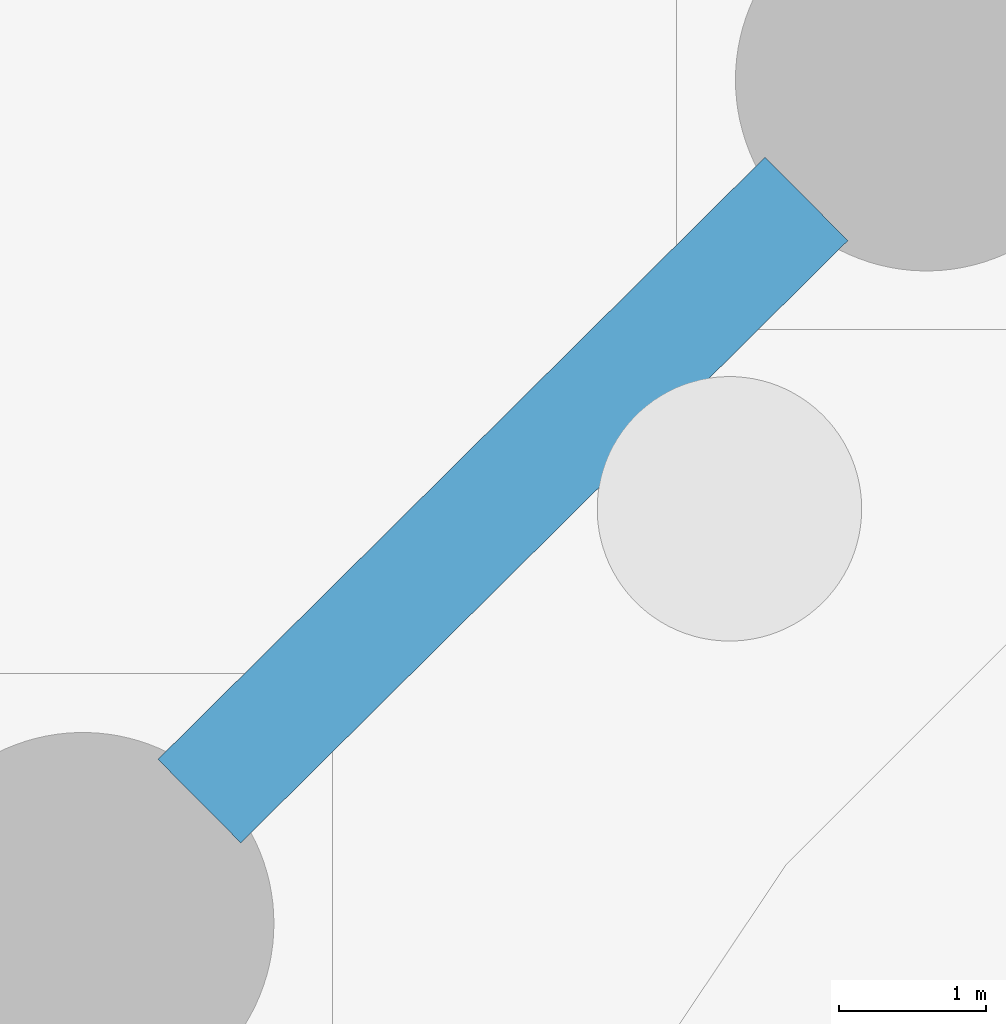
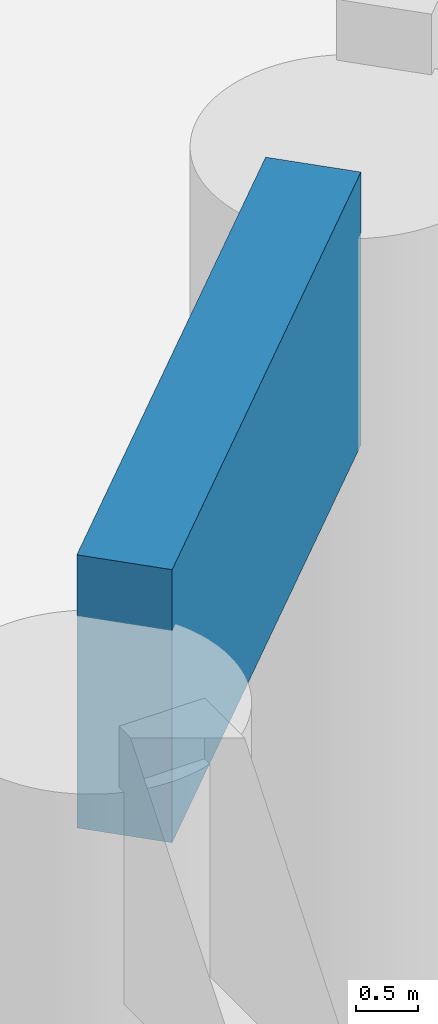
# One storey, part 8 of 31: 1 beam.
"""IFC4 building model written with IfcOpenShell, lengths in metres."""

import ifcopenshell
import ifcopenshell.guid

model = None  # the IFC model being written
_history = None  # IfcOwnerHistory: only IFC2X3 demands one
_inside = {}  # id of a spatial element -> (the spatial element, [elements in it])
_under = {}  # id of a project, library or spatial element -> (it, [spatial elements below it])
_declared = {}  # id of a project -> (the project, [libraries it declares])
_typed = {}  # id of a type object -> (the type object, [elements of that type])
_made_of = {}  # id of a material, layer set ... -> (it, [elements and type objects made of it])


def new_model(schema):
    """Start an empty IFC model of exactly this schema.

    Asked for "IFC4X3", IfcOpenShell would pick the latest addendum, in which some entities
    have other attributes; the version numbers below select the first issue.
    IFC2X3 requires an IfcOwnerHistory on every rooted entity: one is made here for all.
    """
    global model, _history
    if schema == "IFC4X3":
        model = ifcopenshell.file(schema_version=(4, 3, 0, 0))
    else:
        model = ifcopenshell.file(schema=schema)
    _inside.clear()
    _under.clear()
    _declared.clear()
    _typed.clear()
    _made_of.clear()
    _history = None
    if model.schema == "IFC2X3":
        org = make("IfcOrganization", Name="unknown")
        user = make(
            "IfcPersonAndOrganization",
            ThePerson=make("IfcPerson", FamilyName="unknown"),
            TheOrganization=org,
        )
        app = make(
            "IfcApplication",
            ApplicationDeveloper=org,
            Version="unknown",
            ApplicationFullName="unknown",
            ApplicationIdentifier="unknown",
        )
        _history = make(
            "IfcOwnerHistory",
            OwningUser=user,
            OwningApplication=app,
            ChangeAction="ADDED",
            CreationDate=0,
        )
    return model


def make(cls, **values):
    """One entity of the class cls with the attributes given. An attribute that is None is left unset."""
    return model.create_entity(
        cls, **{name: value for name, value in values.items() if value is not None}
    )


def rooted(cls, **values):
    """An entity with a GlobalId (a new one), such as an element, a storey or a relation."""
    return make(cls, GlobalId=ifcopenshell.guid.new(), OwnerHistory=_history, **values)


def si_unit(unit_type, name, prefix=None):
    """IfcSIUnit, for example si_unit("LENGTHUNIT", "METRE", prefix="MILLI")."""
    return make("IfcSIUnit", UnitType=unit_type, Prefix=prefix, Name=name)


def assignment(units):
    """IfcUnitAssignment: the units of a project."""
    return None if units is None else make("IfcUnitAssignment", Units=units)


def point(xyz):
    """IfcCartesianPoint."""
    return None if xyz is None else make("IfcCartesianPoint", Coordinates=xyz)


def direction(xyz):
    """IfcDirection."""
    return None if xyz is None else make("IfcDirection", DirectionRatios=xyz)


def frame(location, z_axis=None, x_axis=None):
    """IfcAxis2Placement3D, a coordinate frame: its origin and axes. An axis left out is left unset."""
    return make(
        "IfcAxis2Placement3D",
        Location=point(location),
        Axis=direction(z_axis),
        RefDirection=direction(x_axis),
    )


def frame_2d(location, x_axis=None):
    """IfcAxis2Placement2D, a coordinate frame in the plane: its origin and x axis."""
    return make(
        "IfcAxis2Placement2D", Location=point(location), RefDirection=direction(x_axis)
    )


def origin():
    """The frame at (0, 0, 0) with its axes left unset."""
    return frame((0.0, 0.0, 0.0))


def origin_2d():
    """The frame at (0, 0) in the plane with its x axis left unset."""
    return frame_2d((0.0, 0.0))


def place(relative_to, where):
    """IfcLocalPlacement: puts the frame where relative to a parent placement (None: the world)."""
    return make(
        "IfcLocalPlacement", PlacementRelTo=relative_to, RelativePlacement=where
    )


def context(
    kind, dimensions, precision=None, world=None, true_north=None, identifier=None
):
    """IfcGeometricRepresentationContext, for example the 3D "Model" context."""
    return make(
        "IfcGeometricRepresentationContext",
        ContextIdentifier=identifier,
        ContextType=kind,
        CoordinateSpaceDimension=dimensions,
        Precision=precision,
        WorldCoordinateSystem=world,
        TrueNorth=true_north,
    )


def subcontext(parent, identifier, kind, view, scale=None):
    """IfcGeometricRepresentationSubContext, for example "Body" below "Model"."""
    return make(
        "IfcGeometricRepresentationSubContext",
        ContextIdentifier=identifier,
        ContextType=kind,
        ParentContext=parent,
        TargetScale=scale,
        TargetView=view,
    )


def project(units=None, contexts=None):
    """IfcProject with its units and contexts."""
    return rooted(
        "IfcProject",
        Name="project",
        RepresentationContexts=contexts,
        UnitsInContext=assignment(units),
    )


def spatial(cls, under=None, at=None, **own):
    """A site, building, storey or space (cls), placed at a placement, below another one or the project."""
    s = rooted(cls, ObjectPlacement=at, **own)
    if under is not None:
        _under.setdefault(under.id(), (under, []))[1].append(s)
    return s


def profile(cls, at=None, kind="AREA", **sizes):
    """A parametric profile (cls). Its sizes go by their IFC names, for example OverallWidth=200.0."""
    return make(cls, ProfileType=kind, Position=at, **sizes)


def rectangle(**sizes):
    """IfcRectangleProfileDef."""
    return profile("IfcRectangleProfileDef", **sizes)


def extrude(swept, where, along, depth):
    """IfcExtrudedAreaSolid: the profile swept, set in the frame where, extruded along a direction by depth."""
    return make(
        "IfcExtrudedAreaSolid",
        SweptArea=swept,
        Position=where,
        ExtrudedDirection=direction(along),
        Depth=depth,
    )


def shape(context_of_items, identifier, shape_type, items):
    """IfcShapeRepresentation: the items that make up one representation, for example the "Body"."""
    return make(
        "IfcShapeRepresentation",
        ContextOfItems=context_of_items,
        RepresentationIdentifier=identifier,
        RepresentationType=shape_type,
        Items=items,
    )


def material(Name=None, Category=None):
    """IfcMaterial."""
    return make("IfcMaterial", Name=Name, Category=Category)


def material_profile(
    of_material, cross_section, Name=None, Category=None, Priority=None
):
    """IfcMaterialProfile: a cross section and its material."""
    return make(
        "IfcMaterialProfile",
        Name=Name,
        Material=of_material,
        Profile=cross_section,
        Priority=Priority,
        Category=Category,
    )


def profile_set(profiles, Name=None, composite=None):
    """IfcMaterialProfileSet."""
    return make(
        "IfcMaterialProfileSet",
        Name=Name,
        MaterialProfiles=profiles,
        CompositeProfile=composite,
    )


def made_of(thing, what):
    """Note that an element or type object is made of a material, layer set ...; save() writes the relation."""
    if what is not None:
        _made_of.setdefault(what.id(), (what, []))[1].append(thing)
    return thing


def type_object(cls, material=None, **own):
    """A type object (cls), such as IfcWallType, which elements share."""
    return made_of(rooted(cls, **own), material)


def element(
    cls,
    number,
    at=None,
    inside=None,
    cuts=None,
    type_object=None,
    material=None,
    context=None,
    identifier="Body",
    shape_type=None,
    held_by="IfcProductDefinitionShape",
    body=None,
    shapes=None,
    **own,
):
    """One element of the class cls, such as IfcWall. Its Tag is "e" and its number.

    at: its placement. inside: the storey or other place that contains it. cuts: it is an
    opening in that element (IfcRelVoidsElement). A single representation is given by context,
    identifier, shape_type and body (its items); several are given by shapes. held_by: the class
    of the entity that holds the representations. save() writes the other relations.
    """
    e = rooted(cls, Tag="e%d" % number, ObjectPlacement=at, **own)
    if body is not None:
        shapes = [shape(context, identifier, shape_type, body)]
    if shapes is not None:
        e.Representation = make(held_by, Representations=shapes)
    if inside is not None:
        _inside.setdefault(inside.id(), (inside, []))[1].append(e)
    if cuts is not None:
        rooted(
            "IfcRelVoidsElement", RelatingBuildingElement=cuts, RelatedOpeningElement=e
        )
    if type_object is not None:
        _typed.setdefault(type_object.id(), (type_object, []))[1].append(e)
    return made_of(e, material)


def aggregate(whole, parts):
    """IfcRelAggregates: a whole, such as a stair, and the parts it consists of."""
    return rooted("IfcRelAggregates", RelatingObject=whole, RelatedObjects=parts)


def save(model, path):
    """Write the relations noted so far, then the file.

    IfcRelAggregates (storeys below a building ...), IfcRelContainedInSpatialStructure (elements
    in a storey), IfcRelDefinesByType, IfcRelAssociatesMaterial and IfcRelDeclares: one each for
    every whole, place, type object, material and project.
    """
    for whole, parts in _under.values():
        aggregate(whole, parts)
    for where, things in _inside.values():
        rooted(
            "IfcRelContainedInSpatialStructure",
            RelatedElements=things,
            RelatingStructure=where,
        )
    for kind, things in _typed.values():
        rooted("IfcRelDefinesByType", RelatedObjects=things, RelatingType=kind)
    for what, things in _made_of.values():
        rooted("IfcRelAssociatesMaterial", RelatedObjects=things, RelatingMaterial=what)
    for by, libraries in _declared.values():
        rooted("IfcRelDeclares", RelatingContext=by, RelatedDefinitions=libraries)
    model.write(path)


model = new_model("IFC4")

# Units and contexts
model_context = context("Model", 3, precision=1e-05, world=origin(), true_north=direction((0.0, 1.0)))
body_context = subcontext(model_context, "Body", "Model", "MODEL_VIEW")
ifc_project = project(units=[si_unit("LENGTHUNIT", "METRE"), si_unit("AREAUNIT", "SQUARE_METRE"), si_unit("VOLUMEUNIT", "CUBIC_METRE"), si_unit("PLANEANGLEUNIT", "RADIAN"), si_unit("MASSUNIT", "GRAM", prefix="KILO")], contexts=[model_context])

# Site, building, storey
site_placement = place(None, origin())
site = spatial("IfcSite", under=ifc_project, at=site_placement, CompositionType="ELEMENT")
building_placement = place(site_placement, origin())
building = spatial("IfcBuilding", under=site, at=building_placement, Name="Orlundy Tower", CompositionType="ELEMENT")
storey_placement = place(building_placement, origin())
storey = spatial("IfcBuildingStorey", under=building, at=storey_placement, Name="L00", CompositionType="ELEMENT", Elevation=0.0)

# Beam
ifc_material = material(Name="Concrete C80/95", Category="concrete")
ifc_material_profile = material_profile(ifc_material, rectangle(XDim=0.800048828125, YDim=2.699951171875, at=origin_2d()), Name="RC800X2700")
ifc_profile_set = profile_set([ifc_material_profile], Name="Concrete C80/95")
beam_type = type_object("IfcBeamType", Name="RC FASCIA BEAM RC800X2700 C80/95", PredefinedType="BEAM", material=ifc_profile_set)
beam_placement = place(storey_placement, frame((-28.60693359375, 13.010986328125, 8.75), z_axis=(0.709953931499, 0.704248120444, 0.0), x_axis=(-0.704248120444, 0.709953931499, 0.0)))
element("IfcBeam", 1, at=beam_placement, inside=storey, type_object=beam_type, Name="Fascia beam 18", PredefinedType="BEAM", context=body_context, shape_type="SweptSolid", body=[
    extrude(rectangle(XDim=0.800048828125, YDim=2.699951171875, at=origin_2d()), origin(), (0.0, 0.0, 1.0), 5.819091796875),
])

save(model, "model.ifc")
